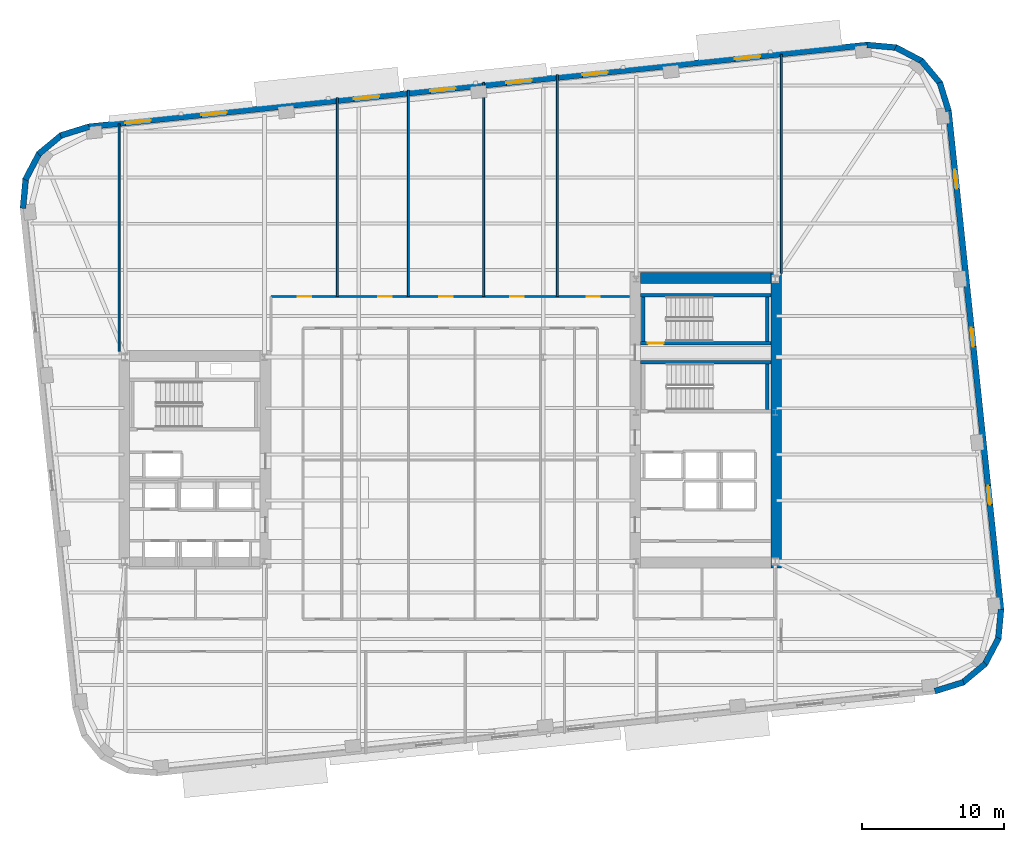
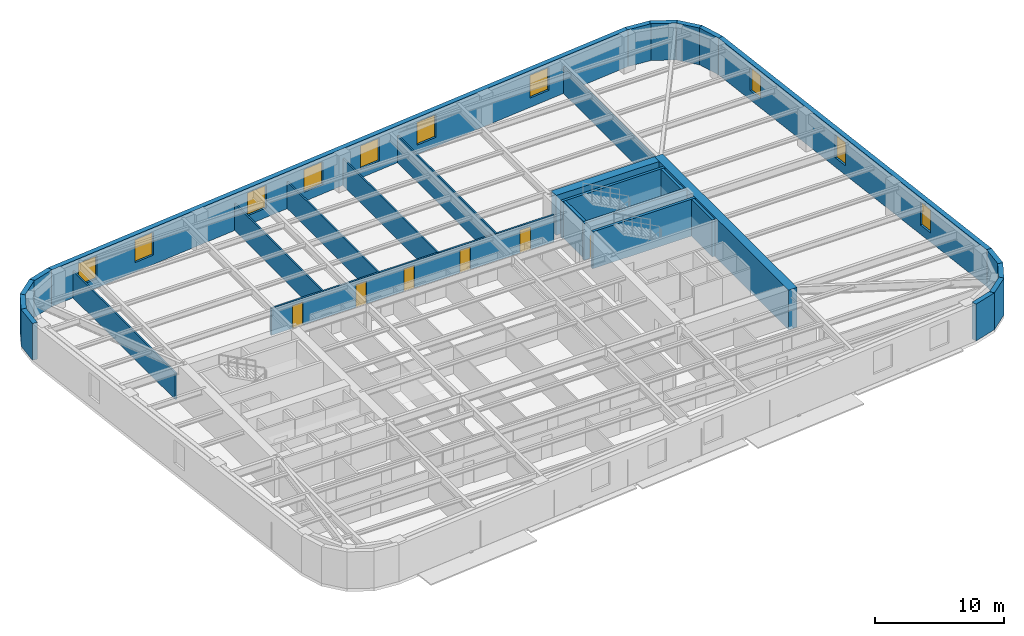
# One storey, part 7 of 13: 29 walls, 10 windows, 6 doors, 16 openings.
"""IFC4 building model written with IfcOpenShell, lengths in metres."""

from ifc_helpers import new_model, si_unit, direction, frame, frame_2d, origin, place, context, subcontext, project, spatial, rectangle, extrude, material, layer, layer_set, type_object, element, fill, save


model = new_model("IFC4")

# Units and contexts
model_context = context("Model", 3, precision=1e-05, world=origin(), true_north=direction((0.0, 1.0)))
body_context = subcontext(model_context, "Body", "Model", "MODEL_VIEW")
ifc_project = project(units=[si_unit("LENGTHUNIT", "METRE"), si_unit("AREAUNIT", "SQUARE_METRE"), si_unit("VOLUMEUNIT", "CUBIC_METRE"), si_unit("PLANEANGLEUNIT", "RADIAN"), si_unit("MASSUNIT", "GRAM", prefix="KILO")], contexts=[model_context])

# Site, building, storey
site_placement = place(None, origin())
site = spatial("IfcSite", under=ifc_project, at=site_placement, CompositionType="ELEMENT")
building_placement = place(site_placement, origin())
building = spatial("IfcBuilding", under=site, at=building_placement, Name="Kolvaren Arena Tower", CompositionType="ELEMENT")
storey_placement = place(building_placement, frame((0.0, 0.0, 145.75)))
storey = spatial("IfcBuildingStorey", under=building, at=storey_placement, Name="L34", CompositionType="ELEMENT", Elevation=145.75)

# Wall, openings, doors
ifc_material_1 = material(Name="Gypsum board acoustic assembly", Category="gypsum")
ifc_layer_1 = layer(ifc_material_1, 0.159912109375)
ifc_layer_set_1 = layer_set([ifc_layer_1], Name="Gypsum board acoustic assembly")
wall_type_1 = type_object("IfcWallType", Name="CORR-160", PredefinedType="PARTITIONING", material=ifc_layer_set_1)
wall_1_placement = place(storey_placement, frame((24.820068359375, 38.1201171875, 0.0), z_axis=(0.0, 0.0, 1.0), x_axis=(1.0, 0.0, 0.0)))
wall_1 = element("IfcWall", 1, at=wall_1_placement, inside=storey, type_object=wall_type_1, Name="Interior Partition Wall (L34)", PredefinedType="PARTITIONING", context=body_context, shape_type="SweptSolid", body=[
    extrude(rectangle(XDim=25.260009765625, YDim=0.159912109375, at=frame_2d((12.6298828125, 0.0))), origin(), (0.0, 0.0, 1.0), 2.5400390625),
])
opening_1_placement = place(wall_1_placement, frame((1.8798828125, 0.0, 0.0)))
opening_1 = element("IfcOpeningElement", 2, at=opening_1_placement, cuts=wall_1, Name="Opening D05", PredefinedType="OPENING", context=body_context, shape_type="SweptSolid", body=[
    extrude(rectangle(XDim=0.949951171875, YDim=2.14990234375, at=frame_2d((0.47509765625, 1.074951171875))), frame((0.0, 0.08984375, 0.0), z_axis=(0.0, -1.0, 0.0), x_axis=(1.0, 0.0, 0.0)), (0.0, 0.0, 1.0), 0.179931640625),
])
opening_2_placement = place(wall_1_placement, frame((7.554931640625, 0.0, 0.0)))
opening_2 = element("IfcOpeningElement", 3, at=opening_2_placement, cuts=wall_1, Name="Opening D05", PredefinedType="OPENING", context=body_context, shape_type="SweptSolid", body=[
    extrude(rectangle(XDim=0.949951171875, YDim=2.14990234375, at=frame_2d((0.47509765625, 1.074951171875))), frame((0.0, 0.08984375, 0.0), z_axis=(0.0, -1.0, 0.0), x_axis=(1.0, 0.0, 0.0)), (0.0, 0.0, 1.0), 0.179931640625),
])
opening_3_placement = place(wall_1_placement, frame((11.85498046875, 0.0, 0.0)))
opening_3 = element("IfcOpeningElement", 4, at=opening_3_placement, cuts=wall_1, Name="Opening D05", PredefinedType="OPENING", context=body_context, shape_type="SweptSolid", body=[
    extrude(rectangle(XDim=0.949951171875, YDim=2.14990234375, at=frame_2d((0.47509765625, 1.074951171875))), frame((0.0, 0.08984375, 0.0), z_axis=(0.0, -1.0, 0.0), x_axis=(1.0, 0.0, 0.0)), (0.0, 0.0, 1.0), 0.179931640625),
])
opening_4_placement = place(wall_1_placement, frame((16.85498046875, 0.0, 0.0)))
opening_4 = element("IfcOpeningElement", 5, at=opening_4_placement, cuts=wall_1, Name="Opening D05", PredefinedType="OPENING", context=body_context, shape_type="SweptSolid", body=[
    extrude(rectangle(XDim=0.949951171875, YDim=2.14990234375, at=frame_2d((0.47509765625, 1.074951171875))), frame((0.0, 0.08984375, 0.0), z_axis=(0.0, -1.0, 0.0), x_axis=(1.0, 0.0, 0.0)), (0.0, 0.0, 1.0), 0.179931640625),
])
opening_5_placement = place(wall_1_placement, frame((22.22998046875, 0.0, 0.0)))
opening_5 = element("IfcOpeningElement", 6, at=opening_5_placement, cuts=wall_1, Name="Opening D05", PredefinedType="OPENING", context=body_context, shape_type="SweptSolid", body=[
    extrude(rectangle(XDim=0.949951171875, YDim=2.14990234375, at=frame_2d((0.47509765625, 1.074951171875))), frame((0.0, 0.08984375, 0.0), z_axis=(0.0, -1.0, 0.0), x_axis=(1.0, 0.0, 0.0)), (0.0, 0.0, 1.0), 0.179931640625),
])
ifc_material_2 = material(Name="Solid-core oak acoustic office door", Category="wood")
door_type_1 = type_object("IfcDoorType", Name="DOOR-OF-095", OperationType="NOTDEFINED", PredefinedType="DOOR", material=ifc_material_2)
door_1_placement = place(opening_1_placement, origin())
door_1 = element("IfcDoor", 7, at=door_1_placement, inside=storey, type_object=door_type_1, Name="Technical Engineering Office Door (L34)", OperationType="SINGLE_SWING_RIGHT", OverallHeight=2.14990234375, OverallWidth=0.949951171875, PredefinedType="DOOR", context=body_context, shape_type="SweptSolid", body=[
    extrude(rectangle(XDim=0.949951171875, YDim=2.14990234375, at=frame_2d((0.47509765625, 1.074951171875))), frame((0.0, 0.02490234375, 0.0), z_axis=(0.0, -1.0, 0.0), x_axis=(1.0, 0.0, 0.0)), (0.0, 0.0, 1.0), 0.050048828125),
])
fill(opening_1, door_1)
door_2_placement = place(opening_2_placement, origin())
door_2 = element("IfcDoor", 8, at=door_2_placement, inside=storey, type_object=door_type_1, Name="Open Plan Office Door (L34)", OperationType="SINGLE_SWING_LEFT", OverallHeight=2.14990234375, OverallWidth=0.949951171875, PredefinedType="DOOR", context=body_context, shape_type="SweptSolid", body=[
    extrude(rectangle(XDim=0.949951171875, YDim=2.14990234375, at=frame_2d((0.47509765625, 1.074951171875))), frame((0.0, 0.02490234375, 0.0), z_axis=(0.0, -1.0, 0.0), x_axis=(1.0, 0.0, 0.0)), (0.0, 0.0, 1.0), 0.050048828125),
])
fill(opening_2, door_2)
door_3_placement = place(opening_3_placement, origin())
door_3 = element("IfcDoor", 9, at=door_3_placement, inside=storey, type_object=door_type_1, Name="Training Seminar Room Door (L34)", OperationType="SINGLE_SWING_RIGHT", OverallHeight=2.14990234375, OverallWidth=0.949951171875, PredefinedType="DOOR", context=body_context, shape_type="SweptSolid", body=[
    extrude(rectangle(XDim=0.949951171875, YDim=2.14990234375, at=frame_2d((0.47509765625, 1.074951171875))), frame((0.0, 0.02490234375, 0.0), z_axis=(0.0, -1.0, 0.0), x_axis=(1.0, 0.0, 0.0)), (0.0, 0.0, 1.0), 0.050048828125),
])
fill(opening_3, door_3)
door_4_placement = place(opening_4_placement, origin())
door_4 = element("IfcDoor", 10, at=door_4_placement, inside=storey, type_object=door_type_1, Name="Executive Office Door (L34)", OperationType="SINGLE_SWING_LEFT", OverallHeight=2.14990234375, OverallWidth=0.949951171875, PredefinedType="DOOR", context=body_context, shape_type="SweptSolid", body=[
    extrude(rectangle(XDim=0.949951171875, YDim=2.14990234375, at=frame_2d((0.47509765625, 1.074951171875))), frame((0.0, 0.02490234375, 0.0), z_axis=(0.0, -1.0, 0.0), x_axis=(1.0, 0.0, 0.0)), (0.0, 0.0, 1.0), 0.050048828125),
])
fill(opening_4, door_4)
door_5_placement = place(opening_5_placement, origin())
door_5 = element("IfcDoor", 11, at=door_5_placement, inside=storey, type_object=door_type_1, Name="Boardroom Door (L34)", OperationType="SINGLE_SWING_RIGHT", OverallHeight=2.14990234375, OverallWidth=0.949951171875, PredefinedType="DOOR", context=body_context, shape_type="SweptSolid", body=[
    extrude(rectangle(XDim=0.949951171875, YDim=2.14990234375, at=frame_2d((0.47509765625, 1.074951171875))), frame((0.0, 0.02490234375, 0.0), z_axis=(0.0, -1.0, 0.0), x_axis=(1.0, 0.0, 0.0)), (0.0, 0.0, 1.0), 0.050048828125),
])
fill(opening_5, door_5)

# Walls
ifc_material_3 = material(Name="Concrete 70 MPa", Category="concrete")
ifc_layer_2 = layer(ifc_material_3, 0.75)
ifc_layer_set_2 = layer_set([ifc_layer_2], Name="Concrete 70 MPa")
wall_type_2 = type_object("IfcWallType", Name="CWALL-750", PredefinedType="SHEAR", material=ifc_layer_set_2)
wall_2_placement = place(storey_placement, frame((60.425048828125, 19.0, -0.27001953125), z_axis=(0.0, 0.0, 1.0), x_axis=(0.0, 1.0, 0.0)))
element("IfcWall", 12, at=wall_2_placement, inside=storey, type_object=wall_type_2, Name="Core Shear Wall EC-EAST (L34)", PredefinedType="SHEAR", context=body_context, shape_type="SweptSolid", body=[
    extrude(rectangle(XDim=20.800048828125, YDim=0.75, at=frame_2d((10.39990234375, 0.0))), origin(), (0.0, 0.0, 1.0), 3.75),
])
wall_3_placement = place(storey_placement, frame((50.85009765625, 39.425048828125, -0.27001953125), z_axis=(0.0, 0.0, 1.0), x_axis=(1.0, 0.0, 0.0)))
element("IfcWall", 13, at=wall_3_placement, inside=storey, type_object=wall_type_2, Name="Core Shear Wall EC-NORTH (L34)", PredefinedType="SHEAR", context=body_context, shape_type="SweptSolid", body=[
    extrude(rectangle(XDim=9.199951171875, YDim=0.75, at=frame_2d((4.60009765625, 0.0))), origin(), (0.0, 0.0, 1.0), 3.75),
])
ifc_material_4 = material(Name="Precast concrete C50/60", Category="concrete")
ifc_layer_3 = layer(ifc_material_4, 0.419921875)
ifc_layer_set_3 = layer_set([ifc_layer_3], Name="Precast concrete C50/60")
wall_type_3 = type_object("IfcWallType", Name="EXT-PIER1", PredefinedType="SOLIDWALL", material=ifc_layer_set_3)
for number, where, z_axis, x_axis, name in (
    (14, (73.61328125, 10.93701171875, 0.0), (0.0, 0.0, 1.0), (-0.954993985335, -0.296625164093, 0.0), "Exterior Precast Masonry-Frame Wall (L34)"),
    (15, (75.1611328125, 12.2451171875, 0.0), (0.0, 0.0, 1.0), (-0.768800317178, -0.639488914921, 0.0), "Exterior Precast Masonry-Frame Wall (L34)"),
):
    element("IfcWall", number, at=place(storey_placement, frame(where, z_axis=z_axis, x_axis=x_axis)), inside=storey, type_object=wall_type_3, Name=name, PredefinedType="SOLIDWALL", context=body_context, shape_type="SweptSolid", body=[
        extrude(rectangle(XDim=2.10693359375, YDim=0.419921875, at=frame_2d((1.053466796875, 0.0))), origin(), (0.0, 0.0, 1.0), 3.47998046875),
    ])
wall_4_placement = place(storey_placement, frame((76.0908203125, 14.046142578125, 0.0), z_axis=(0.0, 0.0, 1.0), x_axis=(-0.465655699908, -0.884965970613, 0.0)))
element("IfcWall", 16, at=wall_4_placement, inside=storey, type_object=wall_type_3, Name="Exterior Precast Masonry-Frame Wall (L34)", PredefinedType="SOLIDWALL", context=body_context, shape_type="SweptSolid", body=[
    extrude(rectangle(XDim=2.107177734375, YDim=0.419921875, at=frame_2d((1.0537109375, 0.0))), origin(), (0.0, 0.0, 1.0), 3.47998046875),
])
wall_5_placement = place(storey_placement, frame((76.26025390625, 16.065673828125, 0.0), z_axis=(0.0, 0.0, 1.0), x_axis=(-0.091538655308, -0.995801523691, 0.0)))
element("IfcWall", 17, at=wall_5_placement, inside=storey, type_object=wall_type_3, Name="Exterior Precast Masonry-Frame Wall (L34)", PredefinedType="SOLIDWALL", context=body_context, shape_type="SweptSolid", body=[
    extrude(rectangle(XDim=2.10693359375, YDim=0.419921875, at=frame_2d((1.053466796875, 0.0))), origin(), (0.0, 0.0, 1.0), 3.47998046875),
])

# Wall, openings, windows
wall_6_placement = place(storey_placement, frame((72.560302734375, 51.23046875, 0.0), z_axis=(0.0, 0.0, 1.0), x_axis=(0.1045253859, -0.994522218808, 0.0)))
wall_6 = element("IfcWall", 18, at=wall_6_placement, inside=storey, type_object=wall_type_3, Name="Exterior Precast Masonry-Frame Wall (L34)", PredefinedType="SOLIDWALL", context=body_context, shape_type="SweptSolid", body=[
    extrude(rectangle(XDim=35.39990234375, YDim=0.419921875, at=frame_2d((17.699951171875, 0.0))), origin(), (0.0, 0.0, 1.0), 3.47998046875),
])
opening_6_placement = place(wall_6_placement, frame((4.199951171875, 0.0, 0.8798828125)))
opening_6 = element("IfcOpeningElement", 19, at=opening_6_placement, cuts=wall_6, Name="Opening W04", PredefinedType="OPENING", context=body_context, shape_type="SweptSolid", body=[
    extrude(rectangle(XDim=1.35009765625, YDim=2.199951171875, at=frame_2d((0.675048828125, 1.10009765625))), frame((0.0, 0.219970703125, 0.0), z_axis=(0.0, -1.0, 0.0), x_axis=(1.0, 0.0, 0.0)), (0.0, 0.0, 1.0), 0.43994140625),
])
opening_7_placement = place(wall_6_placement, frame((15.39990234375, 0.0, 0.8798828125)))
opening_7 = element("IfcOpeningElement", 20, at=opening_7_placement, cuts=wall_6, Name="Opening W04", PredefinedType="OPENING", context=body_context, shape_type="SweptSolid", body=[
    extrude(rectangle(XDim=1.35009765625, YDim=2.199951171875, at=frame_2d((0.675048828125, 1.10009765625))), frame((0.0, 0.219970703125, 0.0), z_axis=(0.0, -1.0, 0.0), x_axis=(1.0, 0.0, 0.0)), (0.0, 0.0, 1.0), 0.43994140625),
])
opening_8_placement = place(wall_6_placement, frame((26.60009765625, 0.0, 0.8798828125)))
opening_8 = element("IfcOpeningElement", 21, at=opening_8_placement, cuts=wall_6, Name="Opening W04", PredefinedType="OPENING", context=body_context, shape_type="SweptSolid", body=[
    extrude(rectangle(XDim=1.35009765625, YDim=2.199951171875, at=frame_2d((0.675048828125, 1.10009765625))), frame((0.0, 0.219970703125, 0.0), z_axis=(0.0, -1.0, 0.0), x_axis=(1.0, 0.0, 0.0)), (0.0, 0.0, 1.0), 0.43994140625),
])
ifc_material_5 = material(Name="Triple-glazed curved-facet corner window", Category="glass")
window_type_1 = type_object("IfcWindowType", Name="WIN-CRN-A", PartitioningType="SINGLE_PANEL", PredefinedType="WINDOW", material=ifc_material_5)
window_1_placement = place(opening_6_placement, origin())
window_1 = element("IfcWindow", 22, at=window_1_placement, inside=storey, type_object=window_type_1, Name="End-Wall Punched Window (L34)", OverallHeight=2.199951171875, OverallWidth=1.35009765625, PartitioningType="SINGLE_PANEL", PredefinedType="WINDOW", context=body_context, shape_type="SweptSolid", body=[
    extrude(rectangle(XDim=1.35009765625, YDim=2.199951171875, at=frame_2d((0.675048828125, 1.10009765625))), frame((0.0, 0.030029296875, 0.0), z_axis=(0.0, -1.0, 0.0), x_axis=(1.0, 0.0, 0.0)), (0.0, 0.0, 1.0), 0.06005859375),
])
fill(opening_6, window_1)
window_2_placement = place(opening_7_placement, origin())
window_2 = element("IfcWindow", 23, at=window_2_placement, inside=storey, type_object=window_type_1, Name="End-Wall Punched Window (L34)", OverallHeight=2.199951171875, OverallWidth=1.35009765625, PartitioningType="SINGLE_PANEL", PredefinedType="WINDOW", context=body_context, shape_type="SweptSolid", body=[
    extrude(rectangle(XDim=1.35009765625, YDim=2.199951171875, at=frame_2d((0.675048828125, 1.10009765625))), frame((0.0, 0.030029296875, 0.0), z_axis=(0.0, -1.0, 0.0), x_axis=(1.0, 0.0, 0.0)), (0.0, 0.0, 1.0), 0.06005859375),
])
fill(opening_7, window_2)
window_3_placement = place(opening_8_placement, origin())
window_3 = element("IfcWindow", 24, at=window_3_placement, inside=storey, type_object=window_type_1, Name="End-Wall Punched Window (L34)", OverallHeight=2.199951171875, OverallWidth=1.35009765625, PartitioningType="SINGLE_PANEL", PredefinedType="WINDOW", context=body_context, shape_type="SweptSolid", body=[
    extrude(rectangle(XDim=1.35009765625, YDim=2.199951171875, at=frame_2d((0.675048828125, 1.10009765625))), frame((0.0, 0.030029296875, 0.0), z_axis=(0.0, -1.0, 0.0), x_axis=(1.0, 0.0, 0.0)), (0.0, 0.0, 1.0), 0.06005859375),
])
fill(opening_8, window_3)

# Walls
for number, where, z_axis, x_axis, name in (
    (25, (71.943603515625, 53.202392578125, 0.0), (0.0, 0.0, 1.0), (0.296625164093, -0.954993985335, 0.0), "Exterior Precast Masonry-Frame Wall (L34)"),
    (26, (70.635498046875, 54.750244140625, 0.0), (0.0, 0.0, 1.0), (0.639488914921, -0.768800317178, 0.0), "Exterior Precast Masonry-Frame Wall (L34)"),
    (27, (68.83447265625, 55.6796875, 0.0), (0.0, 0.0, 1.0), (0.885013714693, -0.465564952296, 0.0), "Exterior Precast Masonry-Frame Wall (L34)"),
    (28, (66.81494140625, 55.849365234375, 0.0), (0.0, 0.0, 1.0), (0.995801523691, -0.091538655308, 0.0), "Exterior Precast Masonry-Frame Wall (L34)"),
):
    element("IfcWall", number, at=place(storey_placement, frame(where, z_axis=z_axis, x_axis=x_axis)), inside=storey, type_object=wall_type_3, Name=name, PredefinedType="SOLIDWALL", context=body_context, shape_type="SweptSolid", body=[
        extrude(rectangle(XDim=2.10693359375, YDim=0.419921875, at=frame_2d((1.053466796875, 0.0))), origin(), (0.0, 0.0, 1.0), 3.47998046875),
    ])

# Wall, openings, windows
wall_7_placement = place(storey_placement, frame((11.95849609375, 50.07958984375, 0.0), z_axis=(0.0, 0.0, 1.0), x_axis=(0.994521823388, 0.104529148113, 0.0)))
wall_7 = element("IfcWall", 29, at=wall_7_placement, inside=storey, type_object=wall_type_3, Name="Exterior Precast Masonry-Frame Wall (L34)", PredefinedType="SOLIDWALL", context=body_context, shape_type="SweptSolid", body=[
    extrude(rectangle(XDim=55.2001953125, YDim=0.419921875, at=frame_2d((27.60009765625, 0.0))), origin(), (0.0, 0.0, 1.0), 3.47998046875),
])
opening_9_placement = place(wall_7_placement, frame((2.60009765625, 0.0, 0.8798828125)))
opening_9 = element("IfcOpeningElement", 30, at=opening_9_placement, cuts=wall_7, Name="Opening W02", PredefinedType="OPENING", context=body_context, shape_type="SweptSolid", body=[
    extrude(rectangle(XDim=1.800048828125, YDim=2.14990234375, at=frame_2d((0.89990234375, 1.074951171875))), frame((0.0, 0.219970703125, 0.0), z_axis=(0.0, -1.0, 0.0), x_axis=(1.0, 0.0, 0.0)), (0.0, 0.0, 1.0), 0.43994140625),
])
opening_10_placement = place(wall_7_placement, frame((8.0, 0.0, 0.8798828125)))
opening_10 = element("IfcOpeningElement", 31, at=opening_10_placement, cuts=wall_7, Name="Opening W02", PredefinedType="OPENING", context=body_context, shape_type="SweptSolid", body=[
    extrude(rectangle(XDim=1.800048828125, YDim=2.14990234375, at=frame_2d((0.89990234375, 1.074951171875))), frame((0.0, 0.219970703125, 0.0), z_axis=(0.0, -1.0, 0.0), x_axis=(1.0, 0.0, 0.0)), (0.0, 0.0, 1.0), 0.43994140625),
])
opening_11_placement = place(wall_7_placement, frame((18.800048828125, 0.0, 0.8798828125)))
opening_11 = element("IfcOpeningElement", 32, at=opening_11_placement, cuts=wall_7, Name="Opening W02", PredefinedType="OPENING", context=body_context, shape_type="SweptSolid", body=[
    extrude(rectangle(XDim=1.800048828125, YDim=2.14990234375, at=frame_2d((0.89990234375, 1.074951171875))), frame((0.0, 0.219970703125, 0.0), z_axis=(0.0, -1.0, 0.0), x_axis=(1.0, 0.0, 0.0)), (0.0, 0.0, 1.0), 0.43994140625),
])
opening_12_placement = place(wall_7_placement, frame((24.199951171875, 0.0, 0.8798828125)))
opening_12 = element("IfcOpeningElement", 33, at=opening_12_placement, cuts=wall_7, Name="Opening W02", PredefinedType="OPENING", context=body_context, shape_type="SweptSolid", body=[
    extrude(rectangle(XDim=1.800048828125, YDim=2.14990234375, at=frame_2d((0.89990234375, 1.074951171875))), frame((0.0, 0.219970703125, 0.0), z_axis=(0.0, -1.0, 0.0), x_axis=(1.0, 0.0, 0.0)), (0.0, 0.0, 1.0), 0.43994140625),
])
opening_13_placement = place(wall_7_placement, frame((29.60009765625, 0.0, 0.8798828125)))
opening_13 = element("IfcOpeningElement", 34, at=opening_13_placement, cuts=wall_7, Name="Opening W02", PredefinedType="OPENING", context=body_context, shape_type="SweptSolid", body=[
    extrude(rectangle(XDim=1.800048828125, YDim=2.14990234375, at=frame_2d((0.89990234375, 1.074951171875))), frame((0.0, 0.219970703125, 0.0), z_axis=(0.0, -1.0, 0.0), x_axis=(1.0, 0.0, 0.0)), (0.0, 0.0, 1.0), 0.43994140625),
])
opening_14_placement = place(wall_7_placement, frame((35.0, 0.0, 0.8798828125)))
opening_14 = element("IfcOpeningElement", 35, at=opening_14_placement, cuts=wall_7, Name="Opening W02", PredefinedType="OPENING", context=body_context, shape_type="SweptSolid", body=[
    extrude(rectangle(XDim=1.800048828125, YDim=2.14990234375, at=frame_2d((0.89990234375, 1.074951171875))), frame((0.0, 0.219970703125, 0.0), z_axis=(0.0, -1.0, 0.0), x_axis=(1.0, 0.0, 0.0)), (0.0, 0.0, 1.0), 0.43994140625),
])
opening_15_placement = place(wall_7_placement, frame((45.800048828125, 0.0, 0.8798828125)))
opening_15 = element("IfcOpeningElement", 36, at=opening_15_placement, cuts=wall_7, Name="Opening W02", PredefinedType="OPENING", context=body_context, shape_type="SweptSolid", body=[
    extrude(rectangle(XDim=1.800048828125, YDim=2.14990234375, at=frame_2d((0.89990234375, 1.074951171875))), frame((0.0, 0.219970703125, 0.0), z_axis=(0.0, -1.0, 0.0), x_axis=(1.0, 0.0, 0.0)), (0.0, 0.0, 1.0), 0.43994140625),
])
ifc_material_6 = material(Name="Triple-glazed low-E aluminium window", Category="aluminium")
window_type_2 = type_object("IfcWindowType", Name="WIN-OFF-B", PartitioningType="DOUBLE_PANEL_VERTICAL", PredefinedType="WINDOW", material=ifc_material_6)
window_4_placement = place(opening_9_placement, origin())
window_4 = element("IfcWindow", 37, at=window_4_placement, inside=storey, type_object=window_type_2, Name="Punched Precast-Pier Window (L34)", OverallHeight=2.14990234375, OverallWidth=1.800048828125, PartitioningType="DOUBLE_PANEL_VERTICAL", PredefinedType="WINDOW", context=body_context, shape_type="SweptSolid", body=[
    extrude(rectangle(XDim=1.800048828125, YDim=2.14990234375, at=frame_2d((0.89990234375, 1.074951171875))), frame((0.0, 0.030029296875, 0.0), z_axis=(0.0, -1.0, 0.0), x_axis=(1.0, 0.0, 0.0)), (0.0, 0.0, 1.0), 0.06005859375),
])
fill(opening_9, window_4)
window_5_placement = place(opening_10_placement, origin())
window_5 = element("IfcWindow", 38, at=window_5_placement, inside=storey, type_object=window_type_2, Name="Punched Precast-Pier Window (L34)", OverallHeight=2.14990234375, OverallWidth=1.800048828125, PartitioningType="DOUBLE_PANEL_VERTICAL", PredefinedType="WINDOW", context=body_context, shape_type="SweptSolid", body=[
    extrude(rectangle(XDim=1.800048828125, YDim=2.14990234375, at=frame_2d((0.89990234375, 1.074951171875))), frame((0.0, 0.030029296875, 0.0), z_axis=(0.0, -1.0, 0.0), x_axis=(1.0, 0.0, 0.0)), (0.0, 0.0, 1.0), 0.06005859375),
])
fill(opening_10, window_5)
window_6_placement = place(opening_11_placement, origin())
window_6 = element("IfcWindow", 39, at=window_6_placement, inside=storey, type_object=window_type_2, Name="Punched Precast-Pier Window (L34)", OverallHeight=2.14990234375, OverallWidth=1.800048828125, PartitioningType="DOUBLE_PANEL_VERTICAL", PredefinedType="WINDOW", context=body_context, shape_type="SweptSolid", body=[
    extrude(rectangle(XDim=1.800048828125, YDim=2.14990234375, at=frame_2d((0.89990234375, 1.074951171875))), frame((0.0, 0.030029296875, 0.0), z_axis=(0.0, -1.0, 0.0), x_axis=(1.0, 0.0, 0.0)), (0.0, 0.0, 1.0), 0.06005859375),
])
fill(opening_11, window_6)
window_7_placement = place(opening_12_placement, origin())
window_7 = element("IfcWindow", 40, at=window_7_placement, inside=storey, type_object=window_type_2, Name="Punched Precast-Pier Window (L34)", OverallHeight=2.14990234375, OverallWidth=1.800048828125, PartitioningType="DOUBLE_PANEL_VERTICAL", PredefinedType="WINDOW", context=body_context, shape_type="SweptSolid", body=[
    extrude(rectangle(XDim=1.800048828125, YDim=2.14990234375, at=frame_2d((0.89990234375, 1.074951171875))), frame((0.0, 0.030029296875, 0.0), z_axis=(0.0, -1.0, 0.0), x_axis=(1.0, 0.0, 0.0)), (0.0, 0.0, 1.0), 0.06005859375),
])
fill(opening_12, window_7)
window_8_placement = place(opening_13_placement, origin())
window_8 = element("IfcWindow", 41, at=window_8_placement, inside=storey, type_object=window_type_2, Name="Punched Precast-Pier Window (L34)", OverallHeight=2.14990234375, OverallWidth=1.800048828125, PartitioningType="DOUBLE_PANEL_VERTICAL", PredefinedType="WINDOW", context=body_context, shape_type="SweptSolid", body=[
    extrude(rectangle(XDim=1.800048828125, YDim=2.14990234375, at=frame_2d((0.89990234375, 1.074951171875))), frame((0.0, 0.030029296875, 0.0), z_axis=(0.0, -1.0, 0.0), x_axis=(1.0, 0.0, 0.0)), (0.0, 0.0, 1.0), 0.06005859375),
])
fill(opening_13, window_8)
window_9_placement = place(opening_14_placement, origin())
window_9 = element("IfcWindow", 42, at=window_9_placement, inside=storey, type_object=window_type_2, Name="Punched Precast-Pier Window (L34)", OverallHeight=2.14990234375, OverallWidth=1.800048828125, PartitioningType="DOUBLE_PANEL_VERTICAL", PredefinedType="WINDOW", context=body_context, shape_type="SweptSolid", body=[
    extrude(rectangle(XDim=1.800048828125, YDim=2.14990234375, at=frame_2d((0.89990234375, 1.074951171875))), frame((0.0, 0.030029296875, 0.0), z_axis=(0.0, -1.0, 0.0), x_axis=(1.0, 0.0, 0.0)), (0.0, 0.0, 1.0), 0.06005859375),
])
fill(opening_14, window_9)
window_10_placement = place(opening_15_placement, origin())
window_10 = element("IfcWindow", 43, at=window_10_placement, inside=storey, type_object=window_type_2, Name="Punched Precast-Pier Window (L34)", OverallHeight=2.14990234375, OverallWidth=1.800048828125, PartitioningType="DOUBLE_PANEL_VERTICAL", PredefinedType="WINDOW", context=body_context, shape_type="SweptSolid", body=[
    extrude(rectangle(XDim=1.800048828125, YDim=2.14990234375, at=frame_2d((0.89990234375, 1.074951171875))), frame((0.0, 0.030029296875, 0.0), z_axis=(0.0, -1.0, 0.0), x_axis=(1.0, 0.0, 0.0)), (0.0, 0.0, 1.0), 0.06005859375),
])
fill(opening_15, window_10)

# Walls
wall_8_placement = place(storey_placement, frame((9.98681640625, 49.463134765625, 0.0), z_axis=(0.0, 0.0, 1.0), x_axis=(0.955016613791, 0.296552301261, 0.0)))
element("IfcWall", 44, at=wall_8_placement, inside=storey, type_object=wall_type_3, Name="Exterior Precast Masonry-Frame Wall (L34)", PredefinedType="SOLIDWALL", context=body_context, shape_type="SweptSolid", body=[
    extrude(rectangle(XDim=2.106689453125, YDim=0.419921875, at=frame_2d((1.05322265625, 0.0))), origin(), (0.0, 0.0, 1.0), 3.47998046875),
])
wall_9_placement = place(storey_placement, frame((8.438720703125, 48.15478515625, 0.0), z_axis=(0.0, 0.0, 1.0), x_axis=(0.768800317178, 0.639488914921, 0.0)))
element("IfcWall", 45, at=wall_9_placement, inside=storey, type_object=wall_type_3, Name="Exterior Precast Masonry-Frame Wall (L34)", PredefinedType="SOLIDWALL", context=body_context, shape_type="SweptSolid", body=[
    extrude(rectangle(XDim=2.10693359375, YDim=0.419921875, at=frame_2d((1.053466796875, 0.0))), origin(), (0.0, 0.0, 1.0), 3.47998046875),
])
wall_10_placement = place(storey_placement, frame((7.50927734375, 46.35400390625, 0.0), z_axis=(0.0, 0.0, 1.0), x_axis=(0.465612698516, 0.884988595961, 0.0)))
element("IfcWall", 46, at=wall_10_placement, inside=storey, type_object=wall_type_3, Name="Exterior Precast Masonry-Frame Wall (L34)", PredefinedType="SOLIDWALL", context=body_context, shape_type="SweptSolid", body=[
    extrude(rectangle(XDim=2.106689453125, YDim=0.419921875, at=frame_2d((1.05322265625, 0.0))), origin(), (0.0, 0.0, 1.0), 3.47998046875),
])
wall_11_placement = place(storey_placement, frame((7.339599609375, 44.33447265625, 0.0), z_axis=(0.0, 0.0, 1.0), x_axis=(0.091538655308, 0.995801523691, 0.0)))
element("IfcWall", 47, at=wall_11_placement, inside=storey, type_object=wall_type_3, Name="Exterior Precast Masonry-Frame Wall (L34)", PredefinedType="SOLIDWALL", context=body_context, shape_type="SweptSolid", body=[
    extrude(rectangle(XDim=2.10693359375, YDim=0.419921875, at=frame_2d((1.053466796875, 0.0))), origin(), (0.0, 0.0, 1.0), 3.47998046875),
])
ifc_material_7 = material(Name="Gypsum board partition assembly", Category="gypsum")
ifc_layer_4 = layer(ifc_material_7, 0.135009765625)
ifc_layer_set_4 = layer_set([ifc_layer_4], Name="Gypsum board partition assembly")
wall_type_4 = type_object("IfcWallType", Name="PART-135", PredefinedType="PARTITIONING", material=ifc_layer_set_4)
wall_12_placement = place(storey_placement, frame((29.5, 38.1201171875, 0.0), z_axis=(0.0, 0.0, 1.0), x_axis=(0.0, 1.0, 0.0)))
element("IfcWall", 48, at=wall_12_placement, inside=storey, type_object=wall_type_4, Name="Interior Partition Wall (L34)", PredefinedType="PARTITIONING", context=body_context, shape_type="SweptSolid", body=[
    extrude(rectangle(XDim=14.014404296875, YDim=0.135009765625, at=frame_2d((7.00732421875, 0.0))), origin(), (0.0, 0.0, 1.0), 2.5400390625),
])
wall_13_placement = place(storey_placement, frame((34.5, 38.1201171875, 0.0), z_axis=(0.0, 0.0, 1.0), x_axis=(0.0, 1.0, 0.0)))
element("IfcWall", 49, at=wall_13_placement, inside=storey, type_object=wall_type_4, Name="Interior Partition Wall (L34)", PredefinedType="PARTITIONING", context=body_context, shape_type="SweptSolid", body=[
    extrude(rectangle(XDim=14.539794921875, YDim=0.135009765625, at=frame_2d((7.27001953125, 0.0))), origin(), (0.0, 0.0, 1.0), 2.5400390625),
])
wall_14_placement = place(storey_placement, frame((39.800048828125, 38.1201171875, 0.0), z_axis=(0.0, 0.0, 1.0), x_axis=(0.0, 1.0, 0.0)))
element("IfcWall", 50, at=wall_14_placement, inside=storey, type_object=wall_type_4, Name="Interior Partition Wall (L34)", PredefinedType="PARTITIONING", context=body_context, shape_type="SweptSolid", body=[
    extrude(rectangle(XDim=15.096923828125, YDim=0.135009765625, at=frame_2d((7.54833984375, 0.0))), origin(), (0.0, 0.0, 1.0), 2.5400390625),
])
wall_15_placement = place(storey_placement, frame((45.0, 38.1201171875, 0.0), z_axis=(0.0, 0.0, 1.0), x_axis=(0.0, 1.0, 0.0)))
element("IfcWall", 51, at=wall_15_placement, inside=storey, type_object=wall_type_4, Name="Interior Partition Wall (L34)", PredefinedType="PARTITIONING", context=body_context, shape_type="SweptSolid", body=[
    extrude(rectangle(XDim=15.6435546875, YDim=0.135009765625, at=frame_2d((7.82177734375, 0.0))), origin(), (0.0, 0.0, 1.0), 2.5400390625),
])
wall_16_placement = place(storey_placement, frame((14.1201171875, 34.25, 0.0), z_axis=(0.0, 0.0, 1.0), x_axis=(0.0, 1.0, 0.0)))
element("IfcWall", 52, at=wall_16_placement, inside=storey, type_object=wall_type_4, Name="Interior Partition Wall (L34)", PredefinedType="PARTITIONING", context=body_context, shape_type="SweptSolid", body=[
    extrude(rectangle(XDim=16.026611328125, YDim=0.135009765625, at=frame_2d((8.01318359375, 0.0))), origin(), (0.0, 0.0, 1.0), 2.5400390625),
])
wall_17_placement = place(storey_placement, frame((60.780029296875, 39.75, 0.0), z_axis=(0.0, 0.0, 1.0), x_axis=(0.0, 1.0, 0.0)))
element("IfcWall", 53, at=wall_17_placement, inside=storey, type_object=wall_type_4, Name="Interior Partition Wall (L34)", PredefinedType="PARTITIONING", context=body_context, shape_type="SweptSolid", body=[
    extrude(rectangle(XDim=15.430908203125, YDim=0.135009765625, at=frame_2d((7.71533203125, 0.0))), origin(), (0.0, 0.0, 1.0), 2.5400390625),
])
ifc_material_8 = material(Name="Concrete 45 MPa", Category="concrete")
ifc_layer_5 = layer(ifc_material_8, 0.25)
ifc_layer_set_5 = layer_set([ifc_layer_5], Name="Concrete 45 MPa")
wall_type_5 = type_object("IfcWallType", Name="SHAFT-250", PredefinedType="SOLIDWALL", material=ifc_layer_set_5)
wall_18_placement = place(storey_placement, frame((50.85009765625, 33.5, 0.0), z_axis=(0.0, 0.0, 1.0), x_axis=(1.0, 0.0, 0.0)))
element("IfcWall", 54, at=wall_18_placement, inside=storey, type_object=wall_type_5, Name="Core Shaft Wall (L34)", PredefinedType="SOLIDWALL", context=body_context, shape_type="SweptSolid", body=[
    extrude(rectangle(XDim=9.199951171875, YDim=0.239990234375, at=frame_2d((4.60009765625, 0.0))), origin(), (0.0, 0.0, 1.0), 3.47998046875),
])
wall_19_placement = place(storey_placement, frame((59.780029296875, 30.14990234375, 0.0), z_axis=(0.0, 0.0, 1.0), x_axis=(0.0, 1.0, 0.0)))
element("IfcWall", 55, at=wall_19_placement, inside=storey, type_object=wall_type_5, Name="Core Shaft Wall (L34)", PredefinedType="SOLIDWALL", context=body_context, shape_type="SweptSolid", body=[
    extrude(rectangle(XDim=3.22998046875, YDim=0.239990234375, at=frame_2d((1.614990234375, 0.0))), origin(), (0.0, 0.0, 1.0), 3.47998046875),
])

# Wall, opening, door
wall_20_placement = place(storey_placement, frame((60.050048828125, 34.830078125, 0.0), z_axis=(0.0, 0.0, 1.0), x_axis=(-1.0, 0.0, 0.0)))
wall_20 = element("IfcWall", 56, at=wall_20_placement, inside=storey, type_object=wall_type_5, Name="Core Shaft Wall (L34)", PredefinedType="SOLIDWALL", context=body_context, shape_type="SweptSolid", body=[
    extrude(rectangle(XDim=9.199951171875, YDim=0.239990234375, at=frame_2d((4.60009765625, 0.0))), origin(), (0.0, 0.0, 1.0), 3.47998046875),
])
opening_16_placement = place(wall_20_placement, frame((7.570068359375, 0.0, 0.0)))
opening_16 = element("IfcOpeningElement", 57, at=opening_16_placement, cuts=wall_20, Name="Opening D03", PredefinedType="OPENING", context=body_context, shape_type="SweptSolid", body=[
    extrude(rectangle(XDim=1.10009765625, YDim=2.14990234375, at=frame_2d((0.550048828125, 1.074951171875))), frame((0.0, 0.1298828125, 0.0), z_axis=(0.0, -1.0, 0.0), x_axis=(1.0, 0.0, 0.0)), (0.0, 0.0, 1.0), 0.260009765625),
])
ifc_material_9 = material(Name="Fire-rated steel exit stair door", Category="steel")
door_type_2 = type_object("IfcDoorType", Name="DOOR-ST-110", OperationType="NOTDEFINED", PredefinedType="DOOR", material=ifc_material_9)
door_6_placement = place(opening_16_placement, origin())
door_6 = element("IfcDoor", 58, at=door_6_placement, inside=storey, type_object=door_type_2, Name="Stair ST-E2 Fire Door (L34)", OperationType="SINGLE_SWING_LEFT", OverallHeight=2.14990234375, OverallWidth=1.10009765625, PredefinedType="DOOR", context=body_context, shape_type="SweptSolid", body=[
    extrude(rectangle(XDim=1.10009765625, YDim=2.14990234375, at=frame_2d((0.550048828125, 1.074951171875))), frame((0.0, 0.02490234375, 0.0), z_axis=(0.0, -1.0, 0.0), x_axis=(1.0, 0.0, 0.0)), (0.0, 0.0, 1.0), 0.050048828125),
])
fill(opening_16, door_6)

# Walls
wall_21_placement = place(storey_placement, frame((50.85009765625, 38.219970703125, 0.0), z_axis=(0.0, 0.0, 1.0), x_axis=(1.0, 0.0, 0.0)))
element("IfcWall", 59, at=wall_21_placement, inside=storey, type_object=wall_type_5, Name="Core Shaft Wall (L34)", PredefinedType="SOLIDWALL", context=body_context, shape_type="SweptSolid", body=[
    extrude(rectangle(XDim=9.199951171875, YDim=0.239990234375, at=frame_2d((4.60009765625, 0.0))), origin(), (0.0, 0.0, 1.0), 3.47998046875),
])
for number, where, z_axis, x_axis, name in (
    (60, (51.06005859375, 34.949951171875, 0.0), (0.0, 0.0, 1.0), (0.0, 1.0, 0.0), "Core Shaft Wall (L34)"),
    (61, (59.780029296875, 34.949951171875, 0.0), (0.0, 0.0, 1.0), (0.0, 1.0, 0.0), "Core Shaft Wall (L34)"),
):
    element("IfcWall", number, at=place(storey_placement, frame(where, z_axis=z_axis, x_axis=x_axis)), inside=storey, type_object=wall_type_5, Name=name, PredefinedType="SOLIDWALL", context=body_context, shape_type="SweptSolid", body=[
        extrude(rectangle(XDim=3.150146484375, YDim=0.239990234375, at=frame_2d((1.5751953125, 0.0))), origin(), (0.0, 0.0, 1.0), 3.47998046875),
    ])

save(model, "model.ifc")
